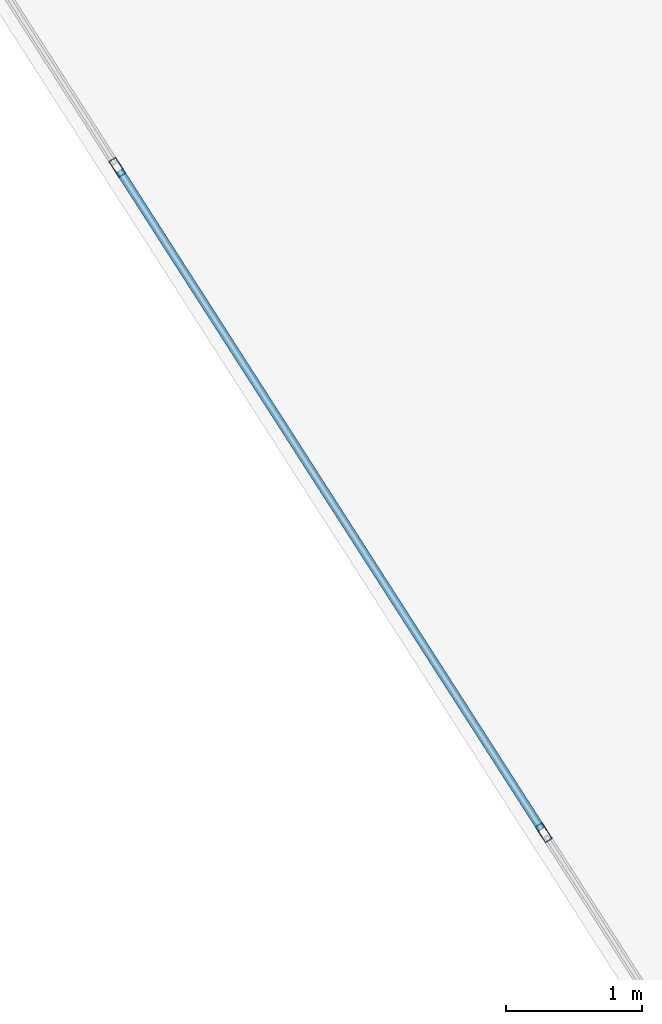
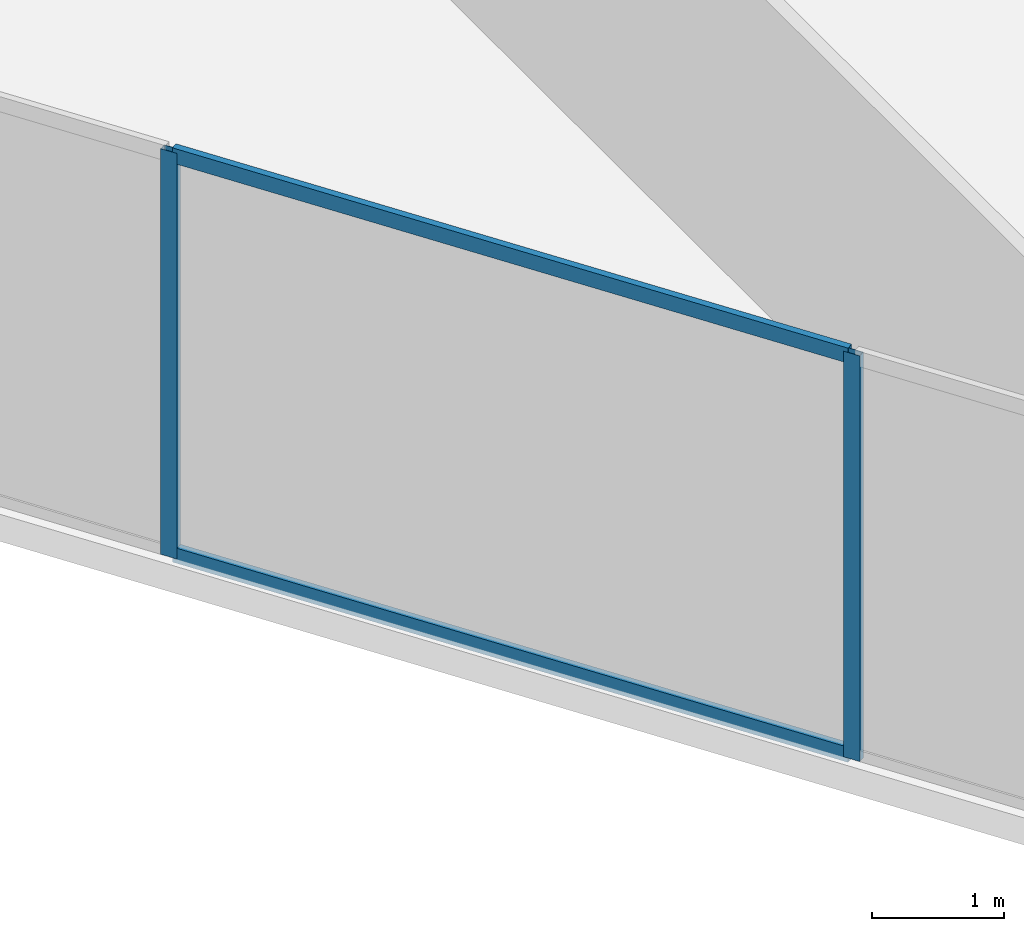
# One storey, part 17 of 26: 4 members, 1 element without a shape of its own.
"""IFC4 building model written with IfcOpenShell, lengths in metres."""

from ifc_helpers import new_model, si_unit, direction, frame, origin, origin_2d, place, context, subcontext, project, spatial, hollow_rectangle, extrude, material, layer, layer_set, material_profile, profile_set, type_object, element, aggregate, save


model = new_model("IFC4")

# Units and contexts
model_context = context("Model", 3, precision=1e-05, world=origin(), true_north=direction((0.0, 1.0)))
body_context = subcontext(model_context, "Body", "Model", "MODEL_VIEW")
ifc_project = project(units=[si_unit("LENGTHUNIT", "METRE"), si_unit("AREAUNIT", "SQUARE_METRE"), si_unit("VOLUMEUNIT", "CUBIC_METRE"), si_unit("PLANEANGLEUNIT", "RADIAN"), si_unit("MASSUNIT", "GRAM", prefix="KILO")], contexts=[model_context])

# Site, building, storey
site_placement = place(None, origin())
site = spatial("IfcSite", under=ifc_project, at=site_placement, CompositionType="ELEMENT")
building_placement = place(site_placement, origin())
building = spatial("IfcBuilding", under=site, at=building_placement, Name="Kravanh Interchange Tower", CompositionType="ELEMENT")
storey_placement = place(building_placement, frame((0.0, 0.0, 116.0)))
storey = spatial("IfcBuildingStorey", under=building, at=storey_placement, Name="L27", CompositionType="ELEMENT", Elevation=116.0)

# Curtain wall, members
ifc_material_1 = material(Name="Anodised Bronze Aluminium", Category="aluminium")
ifc_layer = layer(ifc_material_1, 0.179931640625)
ifc_layer_set = layer_set([ifc_layer], Name="Unitised Curtain Wall System CW-Z2 Mid Office")
curtain_wall_type = type_object("IfcCurtainWallType", Name="Unitised Curtain Wall System CW-Z2 Mid Office", PredefinedType="NOTDEFINED", material=ifc_layer_set)
curtain_wall_placement = place(storey_placement, origin())
curtain_wall = element("IfcCurtainWall", 1, at=curtain_wall_placement, inside=storey, type_object=curtain_wall_type, Name="L27 Unitised Curtain Wall CW-L27-04", PredefinedType="NOTDEFINED")
ifc_material_2 = material(Name="Anodised Bronze Aluminium", Category="aluminium")
ifc_material_profile_1 = material_profile(ifc_material_2, hollow_rectangle(XDim=0.06005859375, YDim=0.139892578125, WallThickness=0.00390625, at=origin_2d()), Name="ALU60X140X4")
ifc_profile_set_1 = profile_set([ifc_material_profile_1], Name="Anodised Bronze Aluminium")
member_type_1 = type_object("IfcMemberType", Name="Curtain Wall Mullion ALU60X140X4 Bronze", PredefinedType="MULLION", material=ifc_profile_set_1)
member_1_placement = place(storey_placement, frame((45.8828125, 16.12109375, 0.0), z_axis=(0.0, 0.0, 1.0), x_axis=(-0.841879939476, -0.539664865919, 0.0)))
member_1 = element("IfcMember", 2, at=member_1_placement, type_object=member_type_1, Name="CW-Z2 mullion 3", PredefinedType="MULLION", context=body_context, shape_type="SweptSolid", body=[
    extrude(hollow_rectangle(XDim=0.06005859375, YDim=0.139892578125, WallThickness=0.00390625, at=origin_2d()), origin(), (0.0, 0.0, 1.0), 3.75),
])
member_2_placement = place(storey_placement, frame((42.741455078125, 21.021728515625, 0.0), z_axis=(0.0, 0.0, 1.0), x_axis=(-0.841879939476, -0.539664865919, 0.0)))
member_2 = element("IfcMember", 3, at=member_2_placement, type_object=member_type_1, Name="CW-Z2 mullion 4", PredefinedType="MULLION", context=body_context, shape_type="SweptSolid", body=[
    extrude(hollow_rectangle(XDim=0.06005859375, YDim=0.139892578125, WallThickness=0.00390625, at=origin_2d()), origin(), (0.0, 0.0, 1.0), 3.75),
])
ifc_material_3 = material(Name="Anodised Bronze Aluminium", Category="aluminium")
ifc_material_profile_2 = material_profile(ifc_material_3, hollow_rectangle(XDim=0.06005859375, YDim=0.139892578125, WallThickness=0.00390625, at=origin_2d()), Name="ALU60X140X4")
ifc_profile_set_2 = profile_set([ifc_material_profile_2], Name="Anodised Bronze Aluminium")
member_type_2 = type_object("IfcMemberType", Name="Curtain Wall Transom ALU60X140X4 Bronze", PredefinedType="USERDEFINED", material=ifc_profile_set_2)
member_3_placement = place(storey_placement, frame((45.86669921875, 16.146484375, 0.030029296875), z_axis=(-0.539677666788, 0.84187173368, 0.0), x_axis=(-0.84187173368, -0.539677666788, 0.0)))
member_3 = element("IfcMember", 4, at=member_3_placement, type_object=member_type_2, Name="CW-Z2 transom 3.1", ObjectType="TRANSOM", PredefinedType="USERDEFINED", context=body_context, shape_type="SweptSolid", body=[
    extrude(hollow_rectangle(XDim=0.06005859375, YDim=0.139892578125, WallThickness=0.00390625, at=origin_2d()), origin(), (0.0, 0.0, 1.0), 5.760986328125),
])
member_4_placement = place(storey_placement, frame((45.86669921875, 16.146484375, 3.719970703125), z_axis=(-0.539677666788, 0.84187173368, 0.0), x_axis=(-0.84187173368, -0.539677666788, 0.0)))
member_4 = element("IfcMember", 5, at=member_4_placement, type_object=member_type_2, Name="CW-Z2 transom 3.2", ObjectType="TRANSOM", PredefinedType="USERDEFINED", context=body_context, shape_type="SweptSolid", body=[
    extrude(hollow_rectangle(XDim=0.06005859375, YDim=0.139892578125, WallThickness=0.00390625, at=origin_2d()), origin(), (0.0, 0.0, 1.0), 5.760986328125),
])
aggregate(curtain_wall, [member_1, member_2, member_3, member_4])

save(model, "model.ifc")
